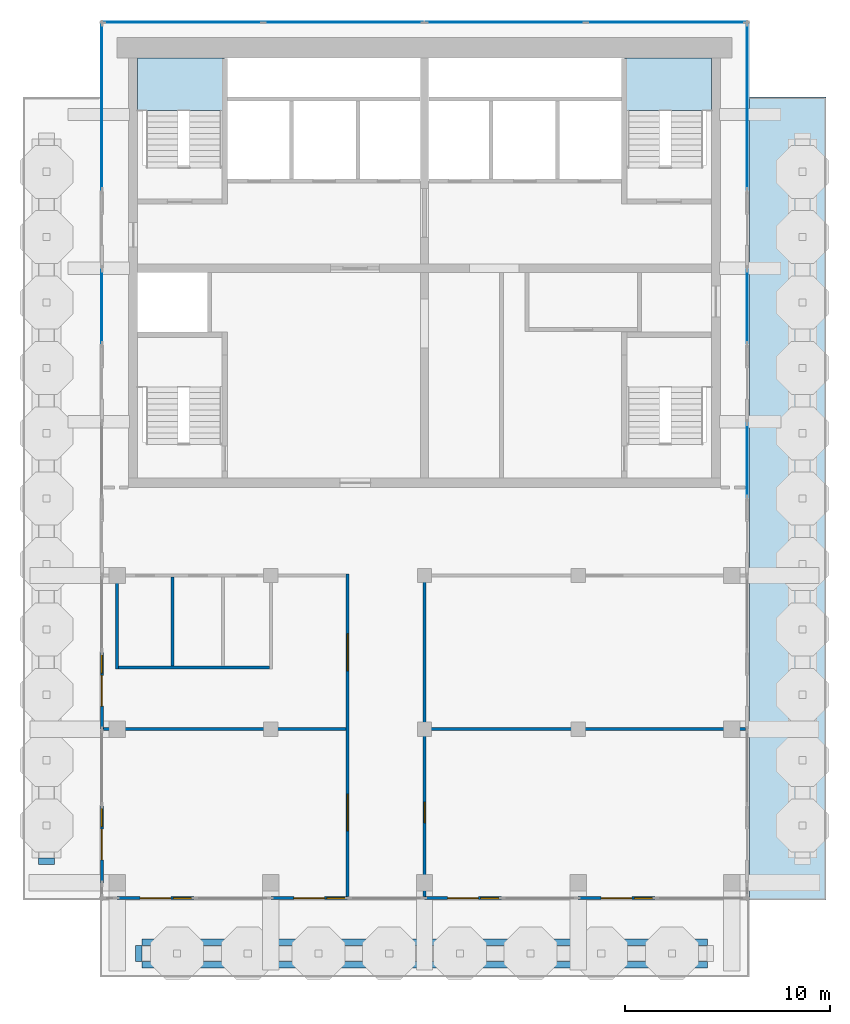
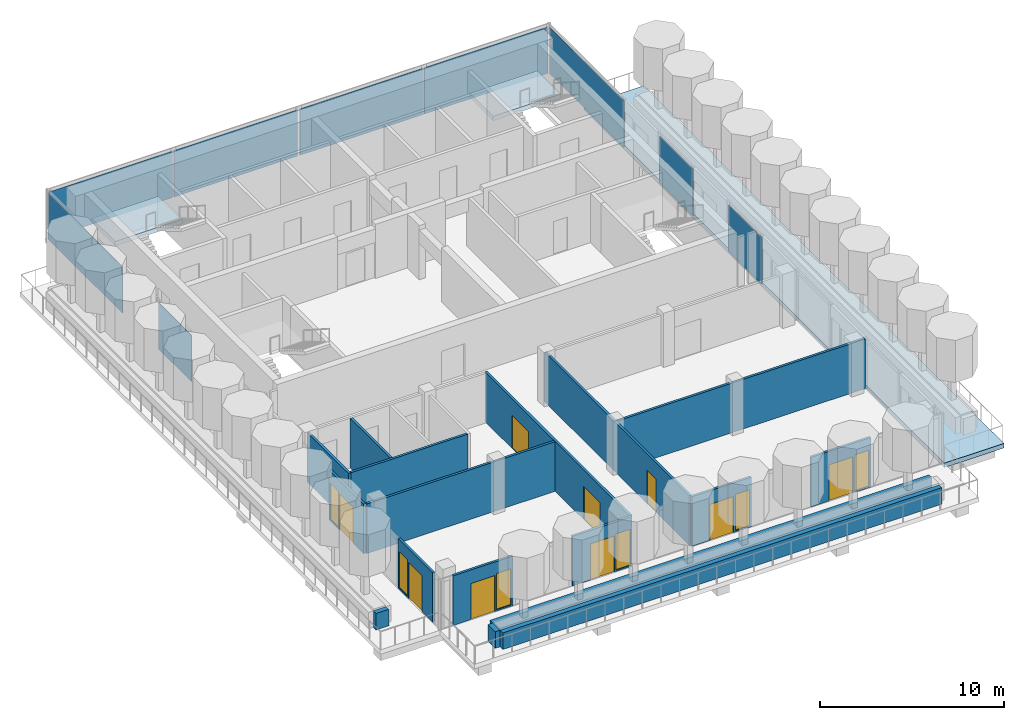
# One storey, part 4 of 10: 17 walls, 9 doors, 9 plates, 6 windows, 3 slabs, 15 openings, 9 elements without a shape of their own.
"""IFC4 building model written with IfcOpenShell, lengths in metres."""

import ifcopenshell
import ifcopenshell.guid

model = None  # the IFC model being written
_history = None  # IfcOwnerHistory: only IFC2X3 demands one
_inside = {}  # id of a spatial element -> (the spatial element, [elements in it])
_under = {}  # id of a project, library or spatial element -> (it, [spatial elements below it])
_declared = {}  # id of a project -> (the project, [libraries it declares])
_typed = {}  # id of a type object -> (the type object, [elements of that type])
_made_of = {}  # id of a material, layer set ... -> (it, [elements and type objects made of it])


def new_model(schema):
    """Start an empty IFC model of exactly this schema.

    Asked for "IFC4X3", IfcOpenShell would pick the latest addendum, in which some entities
    have other attributes; the version numbers below select the first issue.
    IFC2X3 requires an IfcOwnerHistory on every rooted entity: one is made here for all.
    """
    global model, _history
    if schema == "IFC4X3":
        model = ifcopenshell.file(schema_version=(4, 3, 0, 0))
    else:
        model = ifcopenshell.file(schema=schema)
    _inside.clear()
    _under.clear()
    _declared.clear()
    _typed.clear()
    _made_of.clear()
    _history = None
    if model.schema == "IFC2X3":
        org = make("IfcOrganization", Name="unknown")
        user = make(
            "IfcPersonAndOrganization",
            ThePerson=make("IfcPerson", FamilyName="unknown"),
            TheOrganization=org,
        )
        app = make(
            "IfcApplication",
            ApplicationDeveloper=org,
            Version="unknown",
            ApplicationFullName="unknown",
            ApplicationIdentifier="unknown",
        )
        _history = make(
            "IfcOwnerHistory",
            OwningUser=user,
            OwningApplication=app,
            ChangeAction="ADDED",
            CreationDate=0,
        )
    return model


def make(cls, **values):
    """One entity of the class cls with the attributes given. An attribute that is None is left unset."""
    return model.create_entity(
        cls, **{name: value for name, value in values.items() if value is not None}
    )


def rooted(cls, **values):
    """An entity with a GlobalId (a new one), such as an element, a storey or a relation."""
    return make(cls, GlobalId=ifcopenshell.guid.new(), OwnerHistory=_history, **values)


def si_unit(unit_type, name, prefix=None):
    """IfcSIUnit, for example si_unit("LENGTHUNIT", "METRE", prefix="MILLI")."""
    return make("IfcSIUnit", UnitType=unit_type, Prefix=prefix, Name=name)


def assignment(units):
    """IfcUnitAssignment: the units of a project."""
    return None if units is None else make("IfcUnitAssignment", Units=units)


def point(xyz):
    """IfcCartesianPoint."""
    return None if xyz is None else make("IfcCartesianPoint", Coordinates=xyz)


def direction(xyz):
    """IfcDirection."""
    return None if xyz is None else make("IfcDirection", DirectionRatios=xyz)


def frame(location, z_axis=None, x_axis=None):
    """IfcAxis2Placement3D, a coordinate frame: its origin and axes. An axis left out is left unset."""
    return make(
        "IfcAxis2Placement3D",
        Location=point(location),
        Axis=direction(z_axis),
        RefDirection=direction(x_axis),
    )


def frame_2d(location, x_axis=None):
    """IfcAxis2Placement2D, a coordinate frame in the plane: its origin and x axis."""
    return make(
        "IfcAxis2Placement2D", Location=point(location), RefDirection=direction(x_axis)
    )


def origin():
    """The frame at (0, 0, 0) with its axes left unset."""
    return frame((0.0, 0.0, 0.0))


def origin_2d():
    """The frame at (0, 0) in the plane with its x axis left unset."""
    return frame_2d((0.0, 0.0))


def place(relative_to, where):
    """IfcLocalPlacement: puts the frame where relative to a parent placement (None: the world)."""
    return make(
        "IfcLocalPlacement", PlacementRelTo=relative_to, RelativePlacement=where
    )


def context(
    kind, dimensions, precision=None, world=None, true_north=None, identifier=None
):
    """IfcGeometricRepresentationContext, for example the 3D "Model" context."""
    return make(
        "IfcGeometricRepresentationContext",
        ContextIdentifier=identifier,
        ContextType=kind,
        CoordinateSpaceDimension=dimensions,
        Precision=precision,
        WorldCoordinateSystem=world,
        TrueNorth=true_north,
    )


def subcontext(parent, identifier, kind, view, scale=None):
    """IfcGeometricRepresentationSubContext, for example "Body" below "Model"."""
    return make(
        "IfcGeometricRepresentationSubContext",
        ContextIdentifier=identifier,
        ContextType=kind,
        ParentContext=parent,
        TargetScale=scale,
        TargetView=view,
    )


def project(units=None, contexts=None):
    """IfcProject with its units and contexts."""
    return rooted(
        "IfcProject",
        Name="project",
        RepresentationContexts=contexts,
        UnitsInContext=assignment(units),
    )


def spatial(cls, under=None, at=None, **own):
    """A site, building, storey or space (cls), placed at a placement, below another one or the project."""
    s = rooted(cls, ObjectPlacement=at, **own)
    if under is not None:
        _under.setdefault(under.id(), (under, []))[1].append(s)
    return s


def polyline(points):
    """IfcPolyline through the points."""
    return make("IfcPolyline", Points=[point(p) for p in points])


def profile(cls, at=None, kind="AREA", **sizes):
    """A parametric profile (cls). Its sizes go by their IFC names, for example OverallWidth=200.0."""
    return make(cls, ProfileType=kind, Position=at, **sizes)


def rectangle(**sizes):
    """IfcRectangleProfileDef."""
    return profile("IfcRectangleProfileDef", **sizes)


def outline(outer, holes=None, kind="AREA"):
    """IfcArbitraryClosedProfileDef: a profile drawn as a closed curve; with holes, ...WithVoids."""
    if holes is None:
        return make("IfcArbitraryClosedProfileDef", ProfileType=kind, OuterCurve=outer)
    return make(
        "IfcArbitraryProfileDefWithVoids",
        ProfileType=kind,
        OuterCurve=outer,
        InnerCurves=holes,
    )


def extrude(swept, where, along, depth):
    """IfcExtrudedAreaSolid: the profile swept, set in the frame where, extruded along a direction by depth."""
    return make(
        "IfcExtrudedAreaSolid",
        SweptArea=swept,
        Position=where,
        ExtrudedDirection=direction(along),
        Depth=depth,
    )


def shape(context_of_items, identifier, shape_type, items):
    """IfcShapeRepresentation: the items that make up one representation, for example the "Body"."""
    return make(
        "IfcShapeRepresentation",
        ContextOfItems=context_of_items,
        RepresentationIdentifier=identifier,
        RepresentationType=shape_type,
        Items=items,
    )


def material(Name=None, Category=None):
    """IfcMaterial."""
    return make("IfcMaterial", Name=Name, Category=Category)


def layer(
    of_material, thickness, ventilated=None, Name=None, Category=None, Priority=None
):
    """IfcMaterialLayer: one layer of a wall or slab, of a material (None: an air gap)."""
    return make(
        "IfcMaterialLayer",
        Material=of_material,
        LayerThickness=thickness,
        IsVentilated=ventilated,
        Name=Name,
        Category=Category,
        Priority=Priority,
    )


def layer_set(layers, Name=None):
    """IfcMaterialLayerSet."""
    return make("IfcMaterialLayerSet", MaterialLayers=layers, LayerSetName=Name)


def made_of(thing, what):
    """Note that an element or type object is made of a material, layer set ...; save() writes the relation."""
    if what is not None:
        _made_of.setdefault(what.id(), (what, []))[1].append(thing)
    return thing


def type_object(cls, material=None, **own):
    """A type object (cls), such as IfcWallType, which elements share."""
    return made_of(rooted(cls, **own), material)


def element(
    cls,
    number,
    at=None,
    inside=None,
    cuts=None,
    type_object=None,
    material=None,
    context=None,
    identifier="Body",
    shape_type=None,
    held_by="IfcProductDefinitionShape",
    body=None,
    shapes=None,
    **own,
):
    """One element of the class cls, such as IfcWall. Its Tag is "e" and its number.

    at: its placement. inside: the storey or other place that contains it. cuts: it is an
    opening in that element (IfcRelVoidsElement). A single representation is given by context,
    identifier, shape_type and body (its items); several are given by shapes. held_by: the class
    of the entity that holds the representations. save() writes the other relations.
    """
    e = rooted(cls, Tag="e%d" % number, ObjectPlacement=at, **own)
    if body is not None:
        shapes = [shape(context, identifier, shape_type, body)]
    if shapes is not None:
        e.Representation = make(held_by, Representations=shapes)
    if inside is not None:
        _inside.setdefault(inside.id(), (inside, []))[1].append(e)
    if cuts is not None:
        rooted(
            "IfcRelVoidsElement", RelatingBuildingElement=cuts, RelatedOpeningElement=e
        )
    if type_object is not None:
        _typed.setdefault(type_object.id(), (type_object, []))[1].append(e)
    return made_of(e, material)


def fill(opening, filler):
    """IfcRelFillsElement: the door or window that sits in an opening."""
    return rooted(
        "IfcRelFillsElement",
        RelatingOpeningElement=opening,
        RelatedBuildingElement=filler,
    )


def aggregate(whole, parts):
    """IfcRelAggregates: a whole, such as a stair, and the parts it consists of."""
    return rooted("IfcRelAggregates", RelatingObject=whole, RelatedObjects=parts)


def save(model, path):
    """Write the relations noted so far, then the file.

    IfcRelAggregates (storeys below a building ...), IfcRelContainedInSpatialStructure (elements
    in a storey), IfcRelDefinesByType, IfcRelAssociatesMaterial and IfcRelDeclares: one each for
    every whole, place, type object, material and project.
    """
    for whole, parts in _under.values():
        aggregate(whole, parts)
    for where, things in _inside.values():
        rooted(
            "IfcRelContainedInSpatialStructure",
            RelatedElements=things,
            RelatingStructure=where,
        )
    for kind, things in _typed.values():
        rooted("IfcRelDefinesByType", RelatedObjects=things, RelatingType=kind)
    for what, things in _made_of.values():
        rooted("IfcRelAssociatesMaterial", RelatedObjects=things, RelatingMaterial=what)
    for by, libraries in _declared.values():
        rooted("IfcRelDeclares", RelatingContext=by, RelatedDefinitions=libraries)
    model.write(path)


model = new_model("IFC4")

# Units and contexts
model_context = context("Model", 3, precision=1e-05, world=origin(), true_north=direction((0.0, 1.0)))
body_context = subcontext(model_context, "Body", "Model", "MODEL_VIEW")
ifc_project = project(units=[si_unit("LENGTHUNIT", "METRE"), si_unit("AREAUNIT", "SQUARE_METRE"), si_unit("VOLUMEUNIT", "CUBIC_METRE"), si_unit("PLANEANGLEUNIT", "RADIAN"), si_unit("MASSUNIT", "GRAM", prefix="KILO")], contexts=[model_context])

# Site, building, storey
site_placement = place(None, origin())
site = spatial("IfcSite", under=ifc_project, at=site_placement, CompositionType="ELEMENT")
building_placement = place(site_placement, origin())
building = spatial("IfcBuilding", under=site, at=building_placement, Name="Pilkhan Gate Tower", CompositionType="ELEMENT")
storey_placement = place(building_placement, frame((0.0, 0.0, 272.89990234375)))
storey = spatial("IfcBuildingStorey", under=building, at=storey_placement, Name="L71", CompositionType="ELEMENT", Elevation=272.89990234375)

# Curtain wall, plate
ifc_material_1 = material(Name="Pale anodised aluminium, clear low-iron double glazing", Category="aluminium")
curtain_wall_type = type_object("IfcCurtainWallType", Name="Crown unitised curtain wall CW-C", PredefinedType="USERDEFINED", material=ifc_material_1)
curtain_wall_1_placement = place(storey_placement, origin())
curtain_wall_1 = element("IfcCurtainWall", 1, at=curtain_wall_1_placement, inside=storey, type_object=curtain_wall_type, Name="Crown unitised curtain wall CW-C L71 E", ObjectType="UNITISED CURTAIN WALL", PredefinedType="USERDEFINED")
ifc_material_2 = material(Name="Clear low-iron double glazing", Category="glass")
ifc_layer_1 = layer(ifc_material_2, 0.0439453125)
ifc_layer_set_1 = layer_set([ifc_layer_1], Name="Glass panel CW-C 44")
plate_type = type_object("IfcPlateType", Name="Glass panel CW-C 44", PredefinedType="CURTAIN_PANEL", material=ifc_layer_set_1)
plate_1_placement = place(storey_placement, frame((90.75, 73.125, 0.0), z_axis=(0.0, 0.0, 1.0), x_axis=(0.0, 1.0, 0.0)))
plate_1 = element("IfcPlate", 2, at=plate_1_placement, type_object=plate_type, Name="CW-C panel 1", PredefinedType="CURTAIN_PANEL", context=body_context, shape_type="SweptSolid", body=[
    extrude(rectangle(XDim=3.60009765625, YDim=0.0439453125, at=origin_2d()), origin(), (0.0, 0.0, 1.0), 3.080078125),
])
aggregate(curtain_wall_1, [plate_1])

curtain_wall_2_placement = place(storey_placement, origin())
curtain_wall_2 = element("IfcCurtainWall", 3, at=curtain_wall_2_placement, inside=storey, type_object=curtain_wall_type, Name="Crown unitised curtain wall CW-C L71 E", ObjectType="UNITISED CURTAIN WALL", PredefinedType="USERDEFINED")
plate_2_placement = place(storey_placement, frame((90.75, 80.625, 0.0), z_axis=(0.0, 0.0, 1.0), x_axis=(0.0, 1.0, 0.0)))
plate_2 = element("IfcPlate", 4, at=plate_2_placement, type_object=plate_type, Name="CW-C panel 1", PredefinedType="CURTAIN_PANEL", context=body_context, shape_type="SweptSolid", body=[
    extrude(rectangle(XDim=3.60009765625, YDim=0.0439453125, at=origin_2d()), origin(), (0.0, 0.0, 1.0), 3.080078125),
])
aggregate(curtain_wall_2, [plate_2])

curtain_wall_3_placement = place(storey_placement, origin())
curtain_wall_3 = element("IfcCurtainWall", 5, at=curtain_wall_3_placement, inside=storey, type_object=curtain_wall_type, Name="Crown unitised curtain wall CW-C L71 E", ObjectType="UNITISED CURTAIN WALL", PredefinedType="USERDEFINED")
plate_3_placement = place(storey_placement, frame((90.75, 90.375, 0.0), z_axis=(0.0, 0.0, 1.0), x_axis=(0.0, 1.0, 0.0)))
plate_3 = element("IfcPlate", 6, at=plate_3_placement, type_object=plate_type, Name="CW-C panel 1", PredefinedType="CURTAIN_PANEL", context=body_context, shape_type="SweptSolid", body=[
    extrude(rectangle(XDim=8.10009765625, YDim=0.0439453125, at=origin_2d()), origin(), (0.0, 0.0, 1.0), 3.080078125),
])
aggregate(curtain_wall_3, [plate_3])

# Curtain wall, plates
curtain_wall_4_placement = place(storey_placement, origin())
curtain_wall_4 = element("IfcCurtainWall", 7, at=curtain_wall_4_placement, inside=storey, type_object=curtain_wall_type, Name="Crown unitised curtain wall CW-C L71 N", ObjectType="UNITISED CURTAIN WALL", PredefinedType="USERDEFINED")
plate_4_placement = place(storey_placement, frame((63.206298828125, 94.5, 0.0), z_axis=(0.0, 0.0, 1.0), x_axis=(1.0, 0.0, 0.0)))
plate_4 = element("IfcPlate", 8, at=plate_4_placement, type_object=plate_type, Name="CW-C panel 1", PredefinedType="CURTAIN_PANEL", context=body_context, shape_type="SweptSolid", body=[
    extrude(rectangle(XDim=7.762451171875, YDim=0.0439453125, at=origin_2d()), origin(), (0.0, 0.0, 1.0), 3.080078125),
])
plate_5_placement = place(storey_placement, frame((71.043701171875, 94.5, 0.0), z_axis=(0.0, 0.0, 1.0), x_axis=(1.0, 0.0, 0.0)))
plate_5 = element("IfcPlate", 9, at=plate_5_placement, type_object=plate_type, Name="CW-C panel 2", PredefinedType="CURTAIN_PANEL", context=body_context, shape_type="SweptSolid", body=[
    extrude(rectangle(XDim=7.762451171875, YDim=0.0439453125, at=origin_2d()), origin(), (0.0, 0.0, 1.0), 3.080078125),
])
aggregate(curtain_wall_4, [plate_4, plate_5])

curtain_wall_5_placement = place(storey_placement, origin())
curtain_wall_5 = element("IfcCurtainWall", 10, at=curtain_wall_5_placement, inside=storey, type_object=curtain_wall_type, Name="Crown unitised curtain wall CW-C L71 N", ObjectType="UNITISED CURTAIN WALL", PredefinedType="USERDEFINED")
plate_6_placement = place(storey_placement, frame((78.956298828125, 94.5, 0.0), z_axis=(0.0, 0.0, 1.0), x_axis=(1.0, 0.0, 0.0)))
plate_6 = element("IfcPlate", 11, at=plate_6_placement, type_object=plate_type, Name="CW-C panel 1", PredefinedType="CURTAIN_PANEL", context=body_context, shape_type="SweptSolid", body=[
    extrude(rectangle(XDim=7.762451171875, YDim=0.0439453125, at=origin_2d()), origin(), (0.0, 0.0, 1.0), 3.080078125),
])
plate_7_placement = place(storey_placement, frame((86.793701171875, 94.5, 0.0), z_axis=(0.0, 0.0, 1.0), x_axis=(1.0, 0.0, 0.0)))
plate_7 = element("IfcPlate", 12, at=plate_7_placement, type_object=plate_type, Name="CW-C panel 2", PredefinedType="CURTAIN_PANEL", context=body_context, shape_type="SweptSolid", body=[
    extrude(rectangle(XDim=7.762451171875, YDim=0.0439453125, at=origin_2d()), origin(), (0.0, 0.0, 1.0), 3.080078125),
])
aggregate(curtain_wall_5, [plate_6, plate_7])

# Curtain wall, plate
curtain_wall_6_placement = place(storey_placement, origin())
curtain_wall_6 = element("IfcCurtainWall", 13, at=curtain_wall_6_placement, inside=storey, type_object=curtain_wall_type, Name="Crown unitised curtain wall CW-C L71 W", ObjectType="UNITISED CURTAIN WALL", PredefinedType="USERDEFINED")
plate_8_placement = place(storey_placement, frame((59.25, 80.625, 0.0), z_axis=(0.0, 0.0, 1.0), x_axis=(0.0, 1.0, 0.0)))
plate_8 = element("IfcPlate", 14, at=plate_8_placement, type_object=plate_type, Name="CW-C panel 1", PredefinedType="CURTAIN_PANEL", context=body_context, shape_type="SweptSolid", body=[
    extrude(rectangle(XDim=3.60009765625, YDim=0.0439453125, at=origin_2d()), origin(), (0.0, 0.0, 1.0), 3.080078125),
])
aggregate(curtain_wall_6, [plate_8])

curtain_wall_7_placement = place(storey_placement, origin())
curtain_wall_7 = element("IfcCurtainWall", 15, at=curtain_wall_7_placement, inside=storey, type_object=curtain_wall_type, Name="Crown unitised curtain wall CW-C L71 W", ObjectType="UNITISED CURTAIN WALL", PredefinedType="USERDEFINED")
plate_9_placement = place(storey_placement, frame((59.25, 90.375, 0.0), z_axis=(0.0, 0.0, 1.0), x_axis=(0.0, 1.0, 0.0)))
plate_9 = element("IfcPlate", 16, at=plate_9_placement, type_object=plate_type, Name="CW-C panel 1", PredefinedType="CURTAIN_PANEL", context=body_context, shape_type="SweptSolid", body=[
    extrude(rectangle(XDim=8.10009765625, YDim=0.0439453125, at=origin_2d()), origin(), (0.0, 0.0, 1.0), 3.080078125),
])
aggregate(curtain_wall_7, [plate_9])

# Stair, slab
ifc_material_3 = material(Name="Concrete C40/50 precast", Category="concrete")
stair_type_1 = type_object("IfcStairType", Name="Stair ST3 164x280", PredefinedType="HALF_TURN_STAIR", material=ifc_material_3)
stair_1_placement = place(storey_placement, origin())
stair_1 = element("IfcStair", 17, at=stair_1_placement, inside=storey, type_object=stair_type_1, Name="Stair ST3 L71", PredefinedType="HALF_TURN_STAIR")
ifc_material_4 = material(Name="Concrete C40/50", Category="concrete")
ifc_layer_2 = layer(ifc_material_4, 0.199951171875)
ifc_layer_set_2 = layer_set([ifc_layer_2], Name="Stair landing SL200")
slab_type_1 = type_object("IfcSlabType", Name="Stair landing SL200", PredefinedType="LANDING", material=ifc_layer_set_2)
slab_1_placement = place(storey_placement, frame((0.0, 0.0, 1.5)))
slab_1 = element("IfcSlab", 18, at=slab_1_placement, type_object=slab_type_1, Name="ST3 landing 1", PredefinedType="LANDING", context=body_context, shape_type="SweptSolid", body=[
    extrude(outline(polyline([(65.25, 90.199951171875), (65.25, 92.75), (61.0, 92.75), (61.0, 90.199951171875), (65.25, 90.199951171875)])), origin(), (0.0, 0.0, 1.0), 0.300048828125),
])
aggregate(stair_1, [slab_1])

stair_type_2 = type_object("IfcStairType", Name="Stair ST4 164x280", PredefinedType="HALF_TURN_STAIR", material=ifc_material_3)
stair_2_placement = place(storey_placement, origin())
stair_2 = element("IfcStair", 19, at=stair_2_placement, inside=storey, type_object=stair_type_2, Name="Stair ST4 L71", PredefinedType="HALF_TURN_STAIR")
slab_2_placement = place(storey_placement, frame((0.0, 0.0, 1.5)))
slab_2 = element("IfcSlab", 20, at=slab_2_placement, type_object=slab_type_1, Name="ST4 landing 1", PredefinedType="LANDING", context=body_context, shape_type="SweptSolid", body=[
    extrude(outline(polyline([(89.0, 90.199951171875), (89.0, 92.75), (84.75, 92.75), (84.75, 90.199951171875), (89.0, 90.199951171875)])), origin(), (0.0, 0.0, 1.0), 0.300048828125),
])
aggregate(stair_2, [slab_2])

# Slab
ifc_material_5 = material(Name="Concrete C60/75", Category="concrete")
ifc_layer_3 = layer(ifc_material_5, 0.300048828125)
ifc_layer_set_3 = layer_set([ifc_layer_3], Name="Terrace slab TS300")
slab_type_2 = type_object("IfcSlabType", Name="Terrace slab TS300", PredefinedType="FLOOR", material=ifc_layer_set_3)
slab_3_placement = place(storey_placement, frame((0.0, 0.0, -0.2998046875)))
element("IfcSlab", 21, at=slab_3_placement, inside=storey, type_object=slab_type_2, Name="Terrace L71", PredefinedType="FLOOR", context=body_context, shape_type="SweptSolid", body=[
    extrude(outline(polyline([(90.85009765625, 90.85009765625), (94.60009765625, 90.85009765625), (94.60009765625, 51.64990234375), (90.85009765625, 51.64990234375), (90.85009765625, 90.85009765625)])), origin(), (0.0, 0.0, 1.0), 0.2998046875),
])

# Wall, openings, door, window
ifc_material_6 = material(Name="Pale anodised aluminium, clear laminated glazing", Category="aluminium")
ifc_layer_4 = layer(ifc_material_6, 0.14990234375)
ifc_layer_set_4 = layer_set([ifc_layer_4], Name="Facade infill wall IW150")
wall_type_1 = type_object("IfcWallType", Name="Facade infill wall IW150", PredefinedType="SOLIDWALL", material=ifc_layer_set_4)
wall_1_placement = place(storey_placement, frame((59.25, 52.5, 0.0), z_axis=(0.0, 0.0, 1.0), x_axis=(0.0, 1.0, 0.0)))
wall_1 = element("IfcWall", 22, at=wall_1_placement, inside=storey, type_object=wall_type_1, Name="Infill wall L71 W", PredefinedType="SOLIDWALL", context=body_context, shape_type="SweptSolid", body=[
    extrude(rectangle(XDim=3.75, YDim=0.14990234375, at=frame_2d((1.875, 0.0))), origin(), (0.0, 0.0, 1.0), 3.300048828125),
])
opening_1_placement = place(wall_1_placement, frame((1.125, 0.0, 0.0)))
opening_1 = element("IfcOpeningElement", 23, at=opening_1_placement, cuts=wall_1, Name="Opening D5", PredefinedType="OPENING", context=body_context, shape_type="SweptSolid", body=[
    extrude(rectangle(XDim=1.5, YDim=2.39990234375, at=frame_2d((0.75, 1.199951171875))), frame((0.0, 0.0849609375, 0.0), z_axis=(0.0, -1.0, 0.0), x_axis=(1.0, 0.0, 0.0)), (0.0, 0.0, 1.0), 0.169921875),
])
opening_2_placement = place(wall_1_placement, frame((2.737548828125, 0.0, 0.10009765625)))
opening_2 = element("IfcOpeningElement", 24, at=opening_2_placement, cuts=wall_1, Name="Opening W1", PredefinedType="OPENING", context=body_context, shape_type="SweptSolid", body=[
    extrude(rectangle(XDim=0.89990234375, YDim=2.39990234375, at=frame_2d((0.449951171875, 1.199951171875))), frame((0.0, 0.0849609375, 0.0), z_axis=(0.0, -1.0, 0.0), x_axis=(1.0, 0.0, 0.0)), (0.0, 0.0, 1.0), 0.169921875),
])
ifc_material_7 = material(Name="Pale anodised aluminium, clear glazing", Category="aluminium")
door_type_1 = type_object("IfcDoorType", Name="Terrace door D5 1500x2400", OperationType="DOUBLE_DOOR_SINGLE_SWING", PredefinedType="DOOR", material=ifc_material_7)
door_1_placement = place(opening_1_placement, origin())
door_1 = element("IfcDoor", 25, at=door_1_placement, inside=storey, type_object=door_type_1, Name="Terrace door L71", OperationType="DOUBLE_DOOR_SINGLE_SWING", OverallHeight=2.39990234375, OverallWidth=1.5, PredefinedType="DOOR", context=body_context, shape_type="SweptSolid", body=[
    extrude(rectangle(XDim=1.5, YDim=2.39990234375, at=frame_2d((0.75, 1.199951171875))), frame((0.0, 0.02490234375, 0.0), z_axis=(0.0, -1.0, 0.0), x_axis=(1.0, 0.0, 0.0)), (0.0, 0.0, 1.0), 0.050048828125),
])
fill(opening_1, door_1)
ifc_material_8 = material(Name="Pale anodised aluminium, clear double glazing", Category="aluminium")
window_type = type_object("IfcWindowType", Name="Window W1 900x2400", PartitioningType="SINGLE_PANEL", PredefinedType="WINDOW", material=ifc_material_8)
window_1_placement = place(opening_2_placement, origin())
window_1 = element("IfcWindow", 26, at=window_1_placement, inside=storey, type_object=window_type, Name="Window L71", OverallHeight=2.39990234375, OverallWidth=0.89990234375, PartitioningType="SINGLE_PANEL", PredefinedType="WINDOW", context=body_context, shape_type="SweptSolid", body=[
    extrude(rectangle(XDim=0.89990234375, YDim=2.39990234375, at=frame_2d((0.449951171875, 1.199951171875))), frame((0.0, 0.030029296875, 0.0), z_axis=(0.0, -1.0, 0.0), x_axis=(1.0, 0.0, 0.0)), (0.0, 0.0, 1.0), 0.06005859375),
])
fill(opening_2, window_1)

wall_2_placement = place(storey_placement, frame((59.25, 60.0, 0.0), z_axis=(0.0, 0.0, 1.0), x_axis=(0.0, 1.0, 0.0)))
wall_2 = element("IfcWall", 27, at=wall_2_placement, inside=storey, type_object=wall_type_1, Name="Infill wall L71 W", PredefinedType="SOLIDWALL", context=body_context, shape_type="SweptSolid", body=[
    extrude(rectangle(XDim=3.75, YDim=0.14990234375, at=frame_2d((1.875, 0.0))), origin(), (0.0, 0.0, 1.0), 3.300048828125),
])
opening_3_placement = place(wall_2_placement, frame((1.125, 0.0, 0.0)))
opening_3 = element("IfcOpeningElement", 28, at=opening_3_placement, cuts=wall_2, Name="Opening D5", PredefinedType="OPENING", context=body_context, shape_type="SweptSolid", body=[
    extrude(rectangle(XDim=1.5, YDim=2.39990234375, at=frame_2d((0.75, 1.199951171875))), frame((0.0, 0.0849609375, 0.0), z_axis=(0.0, -1.0, 0.0), x_axis=(1.0, 0.0, 0.0)), (0.0, 0.0, 1.0), 0.169921875),
])
opening_4_placement = place(wall_2_placement, frame((2.737548828125, 0.0, 0.10009765625)))
opening_4 = element("IfcOpeningElement", 29, at=opening_4_placement, cuts=wall_2, Name="Opening W1", PredefinedType="OPENING", context=body_context, shape_type="SweptSolid", body=[
    extrude(rectangle(XDim=0.89990234375, YDim=2.39990234375, at=frame_2d((0.449951171875, 1.199951171875))), frame((0.0, 0.0849609375, 0.0), z_axis=(0.0, -1.0, 0.0), x_axis=(1.0, 0.0, 0.0)), (0.0, 0.0, 1.0), 0.169921875),
])
door_2_placement = place(opening_3_placement, origin())
door_2 = element("IfcDoor", 30, at=door_2_placement, inside=storey, type_object=door_type_1, Name="Terrace door L71", OperationType="DOUBLE_DOOR_SINGLE_SWING", OverallHeight=2.39990234375, OverallWidth=1.5, PredefinedType="DOOR", context=body_context, shape_type="SweptSolid", body=[
    extrude(rectangle(XDim=1.5, YDim=2.39990234375, at=frame_2d((0.75, 1.199951171875))), frame((0.0, 0.02490234375, 0.0), z_axis=(0.0, -1.0, 0.0), x_axis=(1.0, 0.0, 0.0)), (0.0, 0.0, 1.0), 0.050048828125),
])
fill(opening_3, door_2)
window_2_placement = place(opening_4_placement, origin())
window_2 = element("IfcWindow", 31, at=window_2_placement, inside=storey, type_object=window_type, Name="Window L71", OverallHeight=2.39990234375, OverallWidth=0.89990234375, PartitioningType="SINGLE_PANEL", PredefinedType="WINDOW", context=body_context, shape_type="SweptSolid", body=[
    extrude(rectangle(XDim=0.89990234375, YDim=2.39990234375, at=frame_2d((0.449951171875, 1.199951171875))), frame((0.0, 0.030029296875, 0.0), z_axis=(0.0, -1.0, 0.0), x_axis=(1.0, 0.0, 0.0)), (0.0, 0.0, 1.0), 0.06005859375),
])
fill(opening_4, window_2)

wall_3_placement = place(storey_placement, frame((63.75, 51.75, 0.0), z_axis=(0.0, 0.0, 1.0), x_axis=(-1.0, 0.0, 0.0)))
wall_3 = element("IfcWall", 32, at=wall_3_placement, inside=storey, type_object=wall_type_1, Name="Infill wall L71 S", PredefinedType="SOLIDWALL", context=body_context, shape_type="SweptSolid", body=[
    extrude(rectangle(XDim=3.75, YDim=0.14990234375, at=frame_2d((1.875, 0.0))), origin(), (0.0, 0.0, 1.0), 3.300048828125),
])
opening_5_placement = place(wall_3_placement, frame((0.112548828125, 0.0, 0.10009765625)))
opening_5 = element("IfcOpeningElement", 33, at=opening_5_placement, cuts=wall_3, Name="Opening W1", PredefinedType="OPENING", context=body_context, shape_type="SweptSolid", body=[
    extrude(rectangle(XDim=0.89990234375, YDim=2.39990234375, at=frame_2d((0.449951171875, 1.199951171875))), frame((0.0, 0.0849609375, 0.0), z_axis=(0.0, -1.0, 0.0), x_axis=(1.0, 0.0, 0.0)), (0.0, 0.0, 1.0), 0.169921875),
])
opening_6_placement = place(wall_3_placement, frame((1.125, 0.0, 0.0)))
opening_6 = element("IfcOpeningElement", 34, at=opening_6_placement, cuts=wall_3, Name="Opening D5", PredefinedType="OPENING", context=body_context, shape_type="SweptSolid", body=[
    extrude(rectangle(XDim=1.5, YDim=2.39990234375, at=frame_2d((0.75, 1.199951171875))), frame((0.0, 0.0849609375, 0.0), z_axis=(0.0, -1.0, 0.0), x_axis=(1.0, 0.0, 0.0)), (0.0, 0.0, 1.0), 0.169921875),
])
door_3_placement = place(opening_6_placement, origin())
door_3 = element("IfcDoor", 35, at=door_3_placement, inside=storey, type_object=door_type_1, Name="Terrace door L71", OperationType="DOUBLE_DOOR_SINGLE_SWING", OverallHeight=2.39990234375, OverallWidth=1.5, PredefinedType="DOOR", context=body_context, shape_type="SweptSolid", body=[
    extrude(rectangle(XDim=1.5, YDim=2.39990234375, at=frame_2d((0.75, 1.199951171875))), frame((0.0, 0.02490234375, 0.0), z_axis=(0.0, -1.0, 0.0), x_axis=(1.0, 0.0, 0.0)), (0.0, 0.0, 1.0), 0.050048828125),
])
fill(opening_6, door_3)
window_3_placement = place(opening_5_placement, origin())
window_3 = element("IfcWindow", 36, at=window_3_placement, inside=storey, type_object=window_type, Name="Window L71", OverallHeight=2.39990234375, OverallWidth=0.89990234375, PartitioningType="SINGLE_PANEL", PredefinedType="WINDOW", context=body_context, shape_type="SweptSolid", body=[
    extrude(rectangle(XDim=0.89990234375, YDim=2.39990234375, at=frame_2d((0.449951171875, 1.199951171875))), frame((0.0, 0.030029296875, 0.0), z_axis=(0.0, -1.0, 0.0), x_axis=(1.0, 0.0, 0.0)), (0.0, 0.0, 1.0), 0.06005859375),
])
fill(opening_5, window_3)

wall_4_placement = place(storey_placement, frame((71.25, 51.75, 0.0), z_axis=(0.0, 0.0, 1.0), x_axis=(-1.0, 0.0, 0.0)))
wall_4 = element("IfcWall", 37, at=wall_4_placement, inside=storey, type_object=wall_type_1, Name="Infill wall L71 S", PredefinedType="SOLIDWALL", context=body_context, shape_type="SweptSolid", body=[
    extrude(rectangle(XDim=3.75, YDim=0.14990234375, at=frame_2d((1.875, 0.0))), origin(), (0.0, 0.0, 1.0), 3.300048828125),
])
opening_7_placement = place(wall_4_placement, frame((0.112548828125, 0.0, 0.10009765625)))
opening_7 = element("IfcOpeningElement", 38, at=opening_7_placement, cuts=wall_4, Name="Opening W1", PredefinedType="OPENING", context=body_context, shape_type="SweptSolid", body=[
    extrude(rectangle(XDim=0.89990234375, YDim=2.39990234375, at=frame_2d((0.449951171875, 1.199951171875))), frame((0.0, 0.0849609375, 0.0), z_axis=(0.0, -1.0, 0.0), x_axis=(1.0, 0.0, 0.0)), (0.0, 0.0, 1.0), 0.169921875),
])
opening_8_placement = place(wall_4_placement, frame((1.125, 0.0, 0.0)))
opening_8 = element("IfcOpeningElement", 39, at=opening_8_placement, cuts=wall_4, Name="Opening D5", PredefinedType="OPENING", context=body_context, shape_type="SweptSolid", body=[
    extrude(rectangle(XDim=1.5, YDim=2.39990234375, at=frame_2d((0.75, 1.199951171875))), frame((0.0, 0.0849609375, 0.0), z_axis=(0.0, -1.0, 0.0), x_axis=(1.0, 0.0, 0.0)), (0.0, 0.0, 1.0), 0.169921875),
])
door_4_placement = place(opening_8_placement, origin())
door_4 = element("IfcDoor", 40, at=door_4_placement, inside=storey, type_object=door_type_1, Name="Terrace door L71", OperationType="DOUBLE_DOOR_SINGLE_SWING", OverallHeight=2.39990234375, OverallWidth=1.5, PredefinedType="DOOR", context=body_context, shape_type="SweptSolid", body=[
    extrude(rectangle(XDim=1.5, YDim=2.39990234375, at=frame_2d((0.75, 1.199951171875))), frame((0.0, 0.02490234375, 0.0), z_axis=(0.0, -1.0, 0.0), x_axis=(1.0, 0.0, 0.0)), (0.0, 0.0, 1.0), 0.050048828125),
])
fill(opening_8, door_4)
window_4_placement = place(opening_7_placement, origin())
window_4 = element("IfcWindow", 41, at=window_4_placement, inside=storey, type_object=window_type, Name="Window L71", OverallHeight=2.39990234375, OverallWidth=0.89990234375, PartitioningType="SINGLE_PANEL", PredefinedType="WINDOW", context=body_context, shape_type="SweptSolid", body=[
    extrude(rectangle(XDim=0.89990234375, YDim=2.39990234375, at=frame_2d((0.449951171875, 1.199951171875))), frame((0.0, 0.030029296875, 0.0), z_axis=(0.0, -1.0, 0.0), x_axis=(1.0, 0.0, 0.0)), (0.0, 0.0, 1.0), 0.06005859375),
])
fill(opening_7, window_4)

wall_5_placement = place(storey_placement, frame((78.75, 51.75, 0.0), z_axis=(0.0, 0.0, 1.0), x_axis=(-1.0, 0.0, 0.0)))
wall_5 = element("IfcWall", 42, at=wall_5_placement, inside=storey, type_object=wall_type_1, Name="Infill wall L71 S", PredefinedType="SOLIDWALL", context=body_context, shape_type="SweptSolid", body=[
    extrude(rectangle(XDim=3.75, YDim=0.14990234375, at=frame_2d((1.875, 0.0))), origin(), (0.0, 0.0, 1.0), 3.300048828125),
])
opening_9_placement = place(wall_5_placement, frame((0.112548828125, 0.0, 0.10009765625)))
opening_9 = element("IfcOpeningElement", 43, at=opening_9_placement, cuts=wall_5, Name="Opening W1", PredefinedType="OPENING", context=body_context, shape_type="SweptSolid", body=[
    extrude(rectangle(XDim=0.89990234375, YDim=2.39990234375, at=frame_2d((0.449951171875, 1.199951171875))), frame((0.0, 0.0849609375, 0.0), z_axis=(0.0, -1.0, 0.0), x_axis=(1.0, 0.0, 0.0)), (0.0, 0.0, 1.0), 0.169921875),
])
opening_10_placement = place(wall_5_placement, frame((1.125, 0.0, 0.0)))
opening_10 = element("IfcOpeningElement", 44, at=opening_10_placement, cuts=wall_5, Name="Opening D5", PredefinedType="OPENING", context=body_context, shape_type="SweptSolid", body=[
    extrude(rectangle(XDim=1.5, YDim=2.39990234375, at=frame_2d((0.75, 1.199951171875))), frame((0.0, 0.0849609375, 0.0), z_axis=(0.0, -1.0, 0.0), x_axis=(1.0, 0.0, 0.0)), (0.0, 0.0, 1.0), 0.169921875),
])
door_5_placement = place(opening_10_placement, origin())
door_5 = element("IfcDoor", 45, at=door_5_placement, inside=storey, type_object=door_type_1, Name="Terrace door L71", OperationType="DOUBLE_DOOR_SINGLE_SWING", OverallHeight=2.39990234375, OverallWidth=1.5, PredefinedType="DOOR", context=body_context, shape_type="SweptSolid", body=[
    extrude(rectangle(XDim=1.5, YDim=2.39990234375, at=frame_2d((0.75, 1.199951171875))), frame((0.0, 0.02490234375, 0.0), z_axis=(0.0, -1.0, 0.0), x_axis=(1.0, 0.0, 0.0)), (0.0, 0.0, 1.0), 0.050048828125),
])
fill(opening_10, door_5)
window_5_placement = place(opening_9_placement, origin())
window_5 = element("IfcWindow", 46, at=window_5_placement, inside=storey, type_object=window_type, Name="Window L71", OverallHeight=2.39990234375, OverallWidth=0.89990234375, PartitioningType="SINGLE_PANEL", PredefinedType="WINDOW", context=body_context, shape_type="SweptSolid", body=[
    extrude(rectangle(XDim=0.89990234375, YDim=2.39990234375, at=frame_2d((0.449951171875, 1.199951171875))), frame((0.0, 0.030029296875, 0.0), z_axis=(0.0, -1.0, 0.0), x_axis=(1.0, 0.0, 0.0)), (0.0, 0.0, 1.0), 0.06005859375),
])
fill(opening_9, window_5)

wall_6_placement = place(storey_placement, frame((86.25, 51.75, 0.0), z_axis=(0.0, 0.0, 1.0), x_axis=(-1.0, 0.0, 0.0)))
wall_6 = element("IfcWall", 47, at=wall_6_placement, inside=storey, type_object=wall_type_1, Name="Infill wall L71 S", PredefinedType="SOLIDWALL", context=body_context, shape_type="SweptSolid", body=[
    extrude(rectangle(XDim=3.75, YDim=0.14990234375, at=frame_2d((1.875, 0.0))), origin(), (0.0, 0.0, 1.0), 3.300048828125),
])
opening_11_placement = place(wall_6_placement, frame((0.112548828125, 0.0, 0.10009765625)))
opening_11 = element("IfcOpeningElement", 48, at=opening_11_placement, cuts=wall_6, Name="Opening W1", PredefinedType="OPENING", context=body_context, shape_type="SweptSolid", body=[
    extrude(rectangle(XDim=0.89990234375, YDim=2.39990234375, at=frame_2d((0.449951171875, 1.199951171875))), frame((0.0, 0.0849609375, 0.0), z_axis=(0.0, -1.0, 0.0), x_axis=(1.0, 0.0, 0.0)), (0.0, 0.0, 1.0), 0.169921875),
])
opening_12_placement = place(wall_6_placement, frame((1.125, 0.0, 0.0)))
opening_12 = element("IfcOpeningElement", 49, at=opening_12_placement, cuts=wall_6, Name="Opening D5", PredefinedType="OPENING", context=body_context, shape_type="SweptSolid", body=[
    extrude(rectangle(XDim=1.5, YDim=2.39990234375, at=frame_2d((0.75, 1.199951171875))), frame((0.0, 0.0849609375, 0.0), z_axis=(0.0, -1.0, 0.0), x_axis=(1.0, 0.0, 0.0)), (0.0, 0.0, 1.0), 0.169921875),
])
door_6_placement = place(opening_12_placement, origin())
door_6 = element("IfcDoor", 50, at=door_6_placement, inside=storey, type_object=door_type_1, Name="Terrace door L71", OperationType="DOUBLE_DOOR_SINGLE_SWING", OverallHeight=2.39990234375, OverallWidth=1.5, PredefinedType="DOOR", context=body_context, shape_type="SweptSolid", body=[
    extrude(rectangle(XDim=1.5, YDim=2.39990234375, at=frame_2d((0.75, 1.199951171875))), frame((0.0, 0.02490234375, 0.0), z_axis=(0.0, -1.0, 0.0), x_axis=(1.0, 0.0, 0.0)), (0.0, 0.0, 1.0), 0.050048828125),
])
fill(opening_12, door_6)
window_6_placement = place(opening_11_placement, origin())
window_6 = element("IfcWindow", 51, at=window_6_placement, inside=storey, type_object=window_type, Name="Window L71", OverallHeight=2.39990234375, OverallWidth=0.89990234375, PartitioningType="SINGLE_PANEL", PredefinedType="WINDOW", context=body_context, shape_type="SweptSolid", body=[
    extrude(rectangle(XDim=0.89990234375, YDim=2.39990234375, at=frame_2d((0.449951171875, 1.199951171875))), frame((0.0, 0.030029296875, 0.0), z_axis=(0.0, -1.0, 0.0), x_axis=(1.0, 0.0, 0.0)), (0.0, 0.0, 1.0), 0.06005859375),
])
fill(opening_11, window_6)

# Walls
ifc_material_9 = material(Name="Blockwork partition, plastered both sides", Category="masonry")
ifc_layer_5 = layer(ifc_material_9, 0.14990234375)
ifc_layer_set_5 = layer_set([ifc_layer_5], Name="Partition PW150")
wall_type_2 = type_object("IfcWallType", Name="Partition PW150", PredefinedType="PARTITIONING", material=ifc_layer_set_5)
wall_7_placement = place(storey_placement, frame((59.3349609375, 60.0, 0.0), z_axis=(0.0, 0.0, 1.0), x_axis=(1.0, 0.0, 0.0)))
element("IfcWall", 52, at=wall_7_placement, inside=storey, type_object=wall_type_2, Name="Partition L71", PredefinedType="PARTITIONING", context=body_context, shape_type="SweptSolid", body=[
    extrude(rectangle(XDim=11.840087890625, YDim=0.14990234375, at=frame_2d((5.919921875, 0.0))), origin(), (0.0, 0.0, 1.0), 3.300048828125),
])
wall_8_placement = place(storey_placement, frame((75.074951171875, 60.0, 0.0), z_axis=(0.0, 0.0, 1.0), x_axis=(1.0, 0.0, 0.0)))
element("IfcWall", 53, at=wall_8_placement, inside=storey, type_object=wall_type_2, Name="Partition L71", PredefinedType="PARTITIONING", context=body_context, shape_type="SweptSolid", body=[
    extrude(rectangle(XDim=15.590087890625, YDim=0.14990234375, at=frame_2d((7.794921875, 0.0))), origin(), (0.0, 0.0, 1.0), 3.300048828125),
])
wall_9_placement = place(storey_placement, frame((60.074951171875, 63.0, 0.0), z_axis=(0.0, 0.0, 1.0), x_axis=(1.0, 0.0, 0.0)))
element("IfcWall", 54, at=wall_9_placement, inside=storey, type_object=wall_type_2, Name="Partition L71", PredefinedType="PARTITIONING", context=body_context, shape_type="SweptSolid", body=[
    extrude(rectangle(XDim=7.35009765625, YDim=0.14990234375, at=frame_2d((3.675048828125, 0.0))), origin(), (0.0, 0.0, 1.0), 3.300048828125),
])
wall_10_placement = place(storey_placement, frame((60.0, 62.925048828125, 0.0), z_axis=(0.0, 0.0, 1.0), x_axis=(0.0, 1.0, 0.0)))
element("IfcWall", 55, at=wall_10_placement, inside=storey, type_object=wall_type_2, Name="Partition L71", PredefinedType="PARTITIONING", context=body_context, shape_type="SweptSolid", body=[
    extrude(rectangle(XDim=4.5, YDim=0.14990234375, at=frame_2d((2.25, 0.0))), origin(), (0.0, 0.0, 1.0), 3.300048828125),
])
wall_11_placement = place(storey_placement, frame((62.699951171875, 63.074951171875, 0.0), z_axis=(0.0, 0.0, 1.0), x_axis=(0.0, 1.0, 0.0)))
element("IfcWall", 56, at=wall_11_placement, inside=storey, type_object=wall_type_2, Name="Partition L71", PredefinedType="PARTITIONING", context=body_context, shape_type="SweptSolid", body=[
    extrude(rectangle(XDim=4.35009765625, YDim=0.14990234375, at=frame_2d((2.175048828125, 0.0))), origin(), (0.0, 0.0, 1.0), 3.300048828125),
])

# Wall, openings, doors
wall_12_placement = place(storey_placement, frame((71.25, 51.8349609375, 0.0), z_axis=(0.0, 0.0, 1.0), x_axis=(0.0, 1.0, 0.0)))
wall_12 = element("IfcWall", 57, at=wall_12_placement, inside=storey, type_object=wall_type_2, Name="Partition L71", PredefinedType="PARTITIONING", context=body_context, shape_type="SweptSolid", body=[
    extrude(rectangle(XDim=15.739990234375, YDim=0.14990234375, at=frame_2d((7.8701171875, 0.0))), origin(), (0.0, 0.0, 1.0), 3.300048828125),
])
opening_13_placement = place(wall_12_placement, frame((11.014892578125, 0.0, 0.0)))
opening_13 = element("IfcOpeningElement", 58, at=opening_13_placement, cuts=wall_12, Name="Opening L71-13", PredefinedType="OPENING", context=body_context, shape_type="SweptSolid", body=[
    extrude(rectangle(XDim=1.800048828125, YDim=2.199951171875, at=frame_2d((0.89990234375, 1.10009765625))), frame((0.0, 0.0849609375, 0.0), z_axis=(0.0, -1.0, 0.0), x_axis=(1.0, 0.0, 0.0)), (0.0, 0.0, 1.0), 0.169921875),
])
opening_14_placement = place(wall_12_placement, frame((3.199951171875, 0.0, 0.0)))
opening_14 = element("IfcOpeningElement", 59, at=opening_14_placement, cuts=wall_12, Name="Opening L71-14", PredefinedType="OPENING", context=body_context, shape_type="SweptSolid", body=[
    extrude(rectangle(XDim=1.800048828125, YDim=2.199951171875, at=frame_2d((0.89990234375, 1.10009765625))), frame((0.0, 0.0849609375, 0.0), z_axis=(0.0, -1.0, 0.0), x_axis=(1.0, 0.0, 0.0)), (0.0, 0.0, 1.0), 0.169921875),
])
ifc_material_10 = material(Name="Timber glazed double door, 30 minute fire resisting", Category="wood")
door_type_2 = type_object("IfcDoorType", Name="Double door D04 1800x2200", OperationType="DOUBLE_DOOR_SINGLE_SWING", PredefinedType="DOOR", material=ifc_material_10)
door_7_placement = place(opening_13_placement, origin())
door_7 = element("IfcDoor", 60, at=door_7_placement, inside=storey, type_object=door_type_2, Name="Double door", OperationType="DOUBLE_DOOR_SINGLE_SWING", OverallHeight=2.199951171875, OverallWidth=1.800048828125, PredefinedType="DOOR", context=body_context, shape_type="SweptSolid", body=[
    extrude(rectangle(XDim=1.800048828125, YDim=2.199951171875, at=frame_2d((0.89990234375, 1.10009765625))), frame((0.0, 0.02490234375, 0.0), z_axis=(0.0, -1.0, 0.0), x_axis=(1.0, 0.0, 0.0)), (0.0, 0.0, 1.0), 0.050048828125),
])
fill(opening_13, door_7)
door_8_placement = place(opening_14_placement, origin())
door_8 = element("IfcDoor", 61, at=door_8_placement, inside=storey, type_object=door_type_2, Name="Double door", OperationType="DOUBLE_DOOR_SINGLE_SWING", OverallHeight=2.199951171875, OverallWidth=1.800048828125, PredefinedType="DOOR", context=body_context, shape_type="SweptSolid", body=[
    extrude(rectangle(XDim=1.800048828125, YDim=2.199951171875, at=frame_2d((0.89990234375, 1.10009765625))), frame((0.0, 0.02490234375, 0.0), z_axis=(0.0, -1.0, 0.0), x_axis=(1.0, 0.0, 0.0)), (0.0, 0.0, 1.0), 0.050048828125),
])
fill(opening_14, door_8)

# Wall, opening, door
wall_13_placement = place(storey_placement, frame((75.0, 51.8349609375, 0.0), z_axis=(0.0, 0.0, 1.0), x_axis=(0.0, 1.0, 0.0)))
wall_13 = element("IfcWall", 62, at=wall_13_placement, inside=storey, type_object=wall_type_2, Name="Partition L71", PredefinedType="PARTITIONING", context=body_context, shape_type="SweptSolid", body=[
    extrude(rectangle(XDim=15.739990234375, YDim=0.14990234375, at=frame_2d((7.8701171875, 0.0))), origin(), (0.0, 0.0, 1.0), 3.300048828125),
])
opening_15_placement = place(wall_13_placement, frame((3.60009765625, 0.0, 0.0)))
opening_15 = element("IfcOpeningElement", 63, at=opening_15_placement, cuts=wall_13, Name="Opening L71-16", PredefinedType="OPENING", context=body_context, shape_type="SweptSolid", body=[
    extrude(rectangle(XDim=1.0, YDim=2.199951171875, at=frame_2d((0.5, 1.10009765625))), frame((0.0, 0.0849609375, 0.0), z_axis=(0.0, -1.0, 0.0), x_axis=(1.0, 0.0, 0.0)), (0.0, 0.0, 1.0), 0.169921875),
])
ifc_material_11 = material(Name="Timber flush door, 30 minute fire resisting", Category="wood")
door_type_3 = type_object("IfcDoorType", Name="Room door D03 1000x2200", OperationType="SINGLE_SWING_LEFT", PredefinedType="DOOR", material=ifc_material_11)
door_9_placement = place(opening_15_placement, origin())
door_9 = element("IfcDoor", 64, at=door_9_placement, inside=storey, type_object=door_type_3, Name="Room door", OperationType="SINGLE_SWING_LEFT", OverallHeight=2.199951171875, OverallWidth=1.0, PredefinedType="DOOR", context=body_context, shape_type="SweptSolid", body=[
    extrude(rectangle(XDim=1.0, YDim=2.199951171875, at=frame_2d((0.5, 1.10009765625))), frame((0.0, 0.02490234375, 0.0), z_axis=(0.0, -1.0, 0.0), x_axis=(1.0, 0.0, 0.0)), (0.0, 0.0, 1.0), 0.050048828125),
])
fill(opening_15, door_9)

# Walls
ifc_layer_6 = layer(ifc_material_4, 0.300048828125)
ifc_layer_set_6 = layer_set([ifc_layer_6], Name="Terrace planter TP800")
wall_type_3 = type_object("IfcWallType", Name="Terrace planter TP800", PredefinedType="USERDEFINED", material=ifc_layer_set_6)
for number, where, z_axis, x_axis, name in (
    (65, (88.800048828125, 48.5, 0.0), (0.0, 0.0, 1.0), (-1.0, 0.0, 0.0), "Terrace planter L71"),
    (66, (88.800048828125, 49.60009765625, 0.0), (0.0, 0.0, 1.0), (-1.0, 0.0, 0.0), "Terrace planter L71"),
):
    element("IfcWall", number, at=place(storey_placement, frame(where, z_axis=z_axis, x_axis=x_axis)), inside=storey, type_object=wall_type_3, Name=name, ObjectType="TERRACE PLANTER", PredefinedType="USERDEFINED", context=body_context, shape_type="SweptSolid", body=[
        extrude(rectangle(XDim=27.60009765625, YDim=0.300048828125, at=frame_2d((13.800048828125, 0.0))), origin(), (0.0, 0.0, 1.0), 1.10009765625),
    ])
for number, where, z_axis, x_axis, name in (
    (67, (61.050048828125, 49.449951171875, 0.0), (0.0, 0.0, 1.0), (0.0, -1.0, 0.0), "Terrace planter L71"),
    (68, (56.949951171875, 53.550048828125, 0.0), (0.0, 0.0, 1.0), (-1.0, 0.0, 0.0), "Terrace planter L71"),
):
    element("IfcWall", number, at=place(storey_placement, frame(where, z_axis=z_axis, x_axis=x_axis)), inside=storey, type_object=wall_type_3, Name=name, ObjectType="TERRACE PLANTER", PredefinedType="USERDEFINED", context=body_context, shape_type="SweptSolid", body=[
        extrude(rectangle(XDim=0.800048828125, YDim=0.300048828125, at=frame_2d((0.39990234375, 0.0))), origin(), (0.0, 0.0, 1.0), 1.10009765625),
    ])

save(model, "model.ifc")
